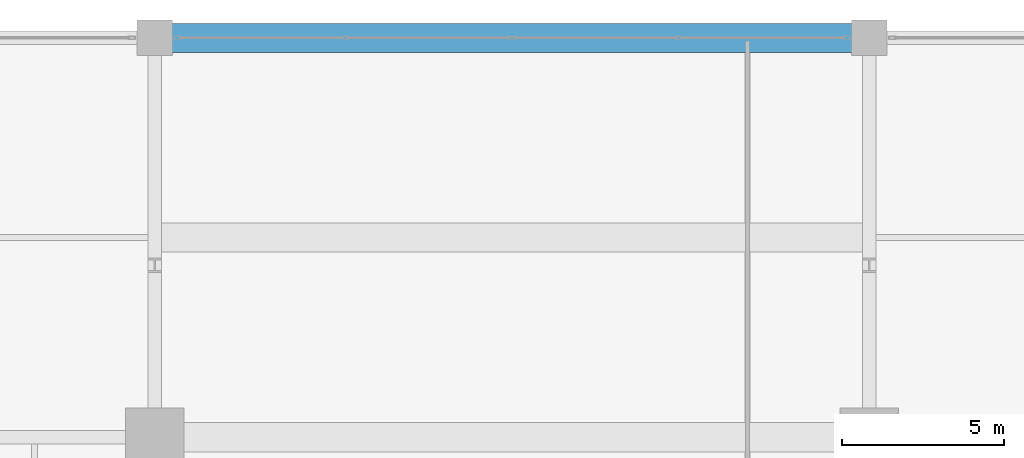
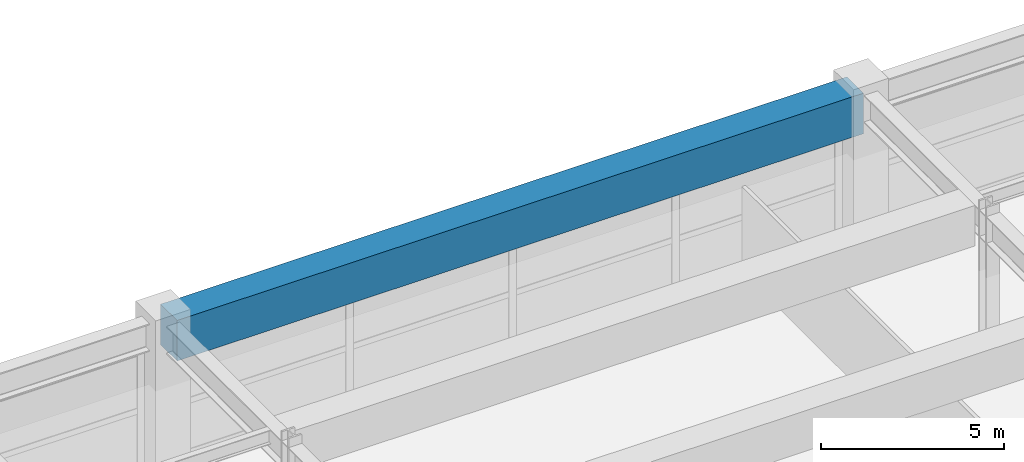
# One storey, part 18 of 35: 1 beam.
"""IFC4 building model written with IfcOpenShell, lengths in metres."""

from ifc_helpers import new_model, si_unit, direction, frame, origin, origin_2d, place, context, subcontext, project, spatial, rectangle, extrude, material, material_profile, profile_set, type_object, element, save


model = new_model("IFC4")

# Units and contexts
model_context = context("Model", 3, precision=1e-05, world=origin(), true_north=direction((0.0, 1.0)))
body_context = subcontext(model_context, "Body", "Model", "MODEL_VIEW")
ifc_project = project(units=[si_unit("LENGTHUNIT", "METRE"), si_unit("AREAUNIT", "SQUARE_METRE"), si_unit("VOLUMEUNIT", "CUBIC_METRE"), si_unit("PLANEANGLEUNIT", "RADIAN"), si_unit("MASSUNIT", "GRAM", prefix="KILO")], contexts=[model_context])

# Site, building, storey
site_placement = place(None, origin())
site = spatial("IfcSite", under=ifc_project, at=site_placement, CompositionType="ELEMENT")
building_placement = place(site_placement, origin())
building = spatial("IfcBuilding", under=site, at=building_placement, Name="Kovane Verandah Tower", CompositionType="ELEMENT")
storey_placement = place(building_placement, frame((0.0, 0.0, 16.39990234375)))
storey = spatial("IfcBuildingStorey", under=building, at=storey_placement, Name="L03", CompositionType="ELEMENT", Elevation=16.39990234375)

# Beam
ifc_material = material(Name="Concrete C80/95", Category="concrete")
ifc_material_profile = material_profile(ifc_material, rectangle(XDim=0.89990234375, YDim=1.35009765625, at=origin_2d()), Name="RCB900x1350")
ifc_profile_set = profile_set([ifc_material_profile], Name="Concrete C80/95")
beam_type = type_object("IfcBeamType", Name="BM-TR-900x1350", PredefinedType="BEAM", material=ifc_profile_set)
beam_placement = place(storey_placement, frame((29.179931640625, 56.5, 4.22509765625), z_axis=(1.0, 0.0, 0.0), x_axis=(0.0, 1.0, 0.0)))
element("IfcBeam", 1, at=beam_placement, inside=storey, type_object=beam_type, Name="L03 Podium Garden Transfer Girder X20", PredefinedType="BEAM", context=body_context, shape_type="SweptSolid", body=[
    extrude(rectangle(XDim=0.89990234375, YDim=1.35009765625, at=origin_2d()), origin(), (0.0, 0.0, 1.0), 21.64013671875),
])

save(model, "model.ifc")
